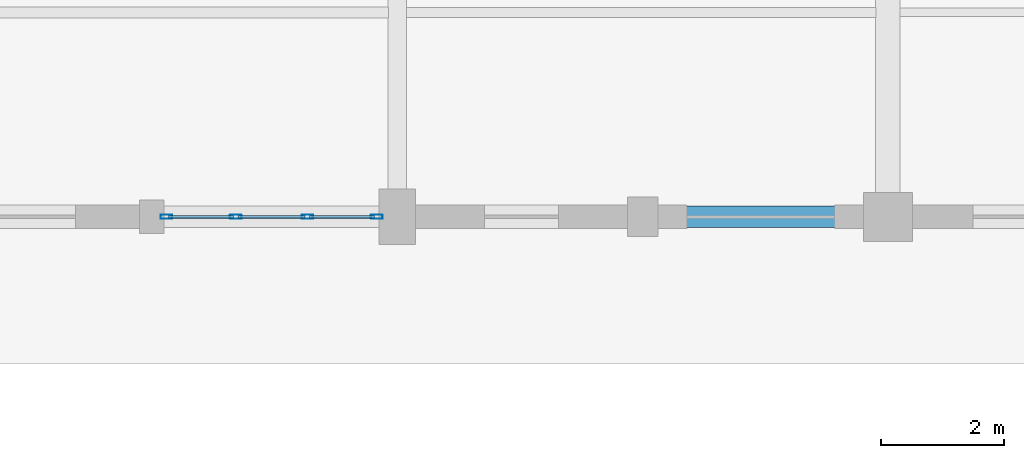
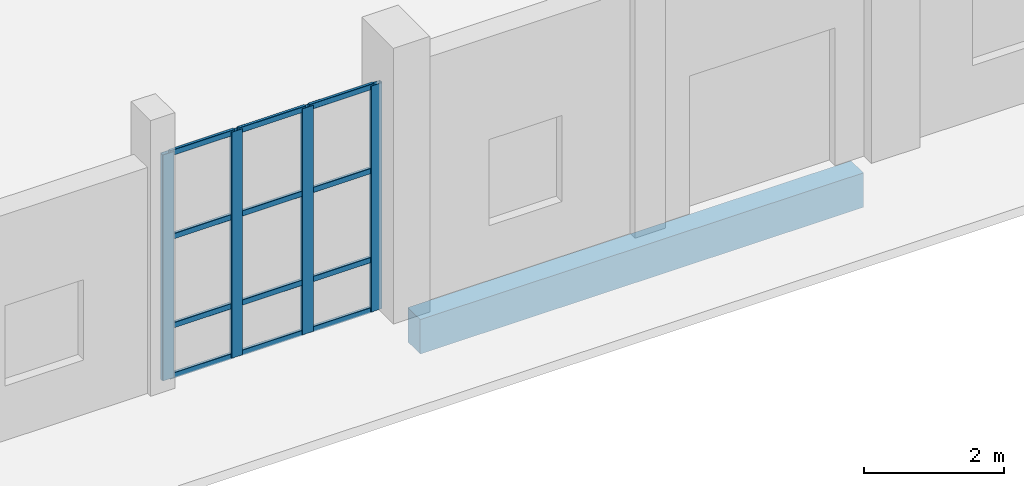
# One storey, part 53 of 156: 16 members, 1 beam, 1 element without a shape of its own.
"""IFC4 building model written with IfcOpenShell, lengths in metres."""

from ifc_helpers import new_model, si_unit, direction, frame, origin, origin_2d, place, context, subcontext, project, spatial, rectangle, hollow_rectangle, extrude, material, material_profile, profile_set, type_object, element, aggregate, save


model = new_model("IFC4")

# Units and contexts
model_context = context("Model", 3, precision=1e-05, world=origin(), true_north=direction((0.0, 1.0)))
body_context = subcontext(model_context, "Body", "Model", "MODEL_VIEW")
ifc_project = project(units=[si_unit("LENGTHUNIT", "METRE"), si_unit("AREAUNIT", "SQUARE_METRE"), si_unit("VOLUMEUNIT", "CUBIC_METRE"), si_unit("PLANEANGLEUNIT", "RADIAN"), si_unit("MASSUNIT", "GRAM", prefix="KILO")], contexts=[model_context])

# Site, building, storey
site_placement = place(None, origin())
site = spatial("IfcSite", under=ifc_project, at=site_placement, CompositionType="ELEMENT")
building_placement = place(site_placement, origin())
building = spatial("IfcBuilding", under=site, at=building_placement, Name="Luwemba Playhouse", CompositionType="ELEMENT")
storey_placement = place(building_placement, origin())
storey = spatial("IfcBuildingStorey", under=building, at=storey_placement, Name="L00", CompositionType="ELEMENT", Elevation=0.0)

# Beam
ifc_material_1 = material(Name="Concrete C40/50", Category="concrete")
ifc_material_profile_1 = material_profile(ifc_material_1, rectangle(XDim=0.35009765625, YDim=0.60009765625, at=origin_2d()))
ifc_profile_set_1 = profile_set([ifc_material_profile_1], Name="Concrete C40/50")
beam_type = type_object("IfcBeamType", Name="BM-SP3", PredefinedType="SPANDREL", material=ifc_profile_set_1)
beam_placement = place(storey_placement, frame((116.300048828125, 95.0, -0.60009765625), z_axis=(1.0, 0.0, 0.0), x_axis=(0.0, 1.0, 0.0)))
element("IfcBeam", 1, at=beam_placement, inside=storey, type_object=beam_type, Name="L00 grid girder 0298", PredefinedType="SPANDREL", context=body_context, shape_type="SweptSolid", body=[
    extrude(rectangle(XDim=0.35009765625, YDim=0.60009765625, at=origin_2d()), origin(), (0.0, 0.0, 1.0), 7.300048828125),
])

# Curtain wall, members
ifc_material_2 = material(Name="Solar-control double glazing", Category="glass")
curtain_wall_type = type_object("IfcCurtainWallType", Name="CW-CW56", PredefinedType="USERDEFINED", material=ifc_material_2)
curtain_wall_placement = place(storey_placement, origin())
curtain_wall = element("IfcCurtainWall", 2, at=curtain_wall_placement, inside=storey, type_object=curtain_wall_type, Name="L00 V6E unitised curtain wall 094", ObjectType="UNITISED GLAZING", PredefinedType="USERDEFINED")
ifc_material_3 = material(Name="Aluminium 6063-T6", Category="aluminium")
ifc_material_profile_2 = material_profile(ifc_material_3, hollow_rectangle(XDim=0.070068359375, YDim=0.18994140625, WallThickness=0.0048828125, InnerFilletRadius=0.007568359375, OuterFilletRadius=0.012451171875, at=origin_2d()))
ifc_profile_set_2 = profile_set([ifc_material_profile_2], Name="Aluminium 6063-T6")
member_type_1 = type_object("IfcMemberType", Name="CWM-M4", PredefinedType="MULLION", material=ifc_profile_set_2)
member_1_placement = place(storey_placement, frame((115.6650390625, 95.0, 0.0), z_axis=(0.0, 0.0, 1.0), x_axis=(0.0, -1.0, 0.0)))
member_1 = element("IfcMember", 3, at=member_1_placement, type_object=member_type_1, Name="CW56 mullion 1", PredefinedType="MULLION", context=body_context, shape_type="SweptSolid", body=[
    extrude(hollow_rectangle(XDim=0.070068359375, YDim=0.18994140625, WallThickness=0.0048828125, InnerFilletRadius=0.007568359375, OuterFilletRadius=0.012451171875, at=origin_2d()), origin(), (0.0, 0.0, 1.0), 3.93505859375),
])
member_2_placement = place(storey_placement, frame((114.533447265625, 95.0, 0.0), z_axis=(0.0, 0.0, 1.0), x_axis=(0.0, -1.0, 0.0)))
member_2 = element("IfcMember", 4, at=member_2_placement, type_object=member_type_1, Name="CW56 mullion 2", PredefinedType="MULLION", context=body_context, shape_type="SweptSolid", body=[
    extrude(hollow_rectangle(XDim=0.070068359375, YDim=0.18994140625, WallThickness=0.0048828125, InnerFilletRadius=0.007568359375, OuterFilletRadius=0.012451171875, at=origin_2d()), origin(), (0.0, 0.0, 1.0), 3.93505859375),
])
member_3_placement = place(storey_placement, frame((113.36669921875, 95.0, 0.0), z_axis=(0.0, 0.0, 1.0), x_axis=(0.0, -1.0, 0.0)))
member_3 = element("IfcMember", 5, at=member_3_placement, type_object=member_type_1, Name="CW56 mullion 3", PredefinedType="MULLION", context=body_context, shape_type="SweptSolid", body=[
    extrude(hollow_rectangle(XDim=0.070068359375, YDim=0.18994140625, WallThickness=0.0048828125, InnerFilletRadius=0.007568359375, OuterFilletRadius=0.012451171875, at=origin_2d()), origin(), (0.0, 0.0, 1.0), 3.93505859375),
])
member_4_placement = place(storey_placement, frame((112.235107421875, 95.0, 0.0), z_axis=(0.0, 0.0, 1.0), x_axis=(0.0, -1.0, 0.0)))
member_4 = element("IfcMember", 6, at=member_4_placement, type_object=member_type_1, Name="CW56 mullion 4", PredefinedType="MULLION", context=body_context, shape_type="SweptSolid", body=[
    extrude(hollow_rectangle(XDim=0.070068359375, YDim=0.18994140625, WallThickness=0.0048828125, InnerFilletRadius=0.007568359375, OuterFilletRadius=0.012451171875, at=origin_2d()), origin(), (0.0, 0.0, 1.0), 3.93505859375),
])
ifc_material_profile_3 = material_profile(ifc_material_3, hollow_rectangle(XDim=0.050048828125, YDim=0.10009765625, WallThickness=0.00341796875, InnerFilletRadius=0.00537109375, OuterFilletRadius=0.0087890625, at=origin_2d()))
ifc_profile_set_3 = profile_set([ifc_material_profile_3], Name="Aluminium 6063-T6")
member_type_2 = type_object("IfcMemberType", Name="CWT-T4", PredefinedType="USERDEFINED", material=ifc_profile_set_3)
member_5_placement = place(storey_placement, frame((115.6298828125, 95.0, 0.02490234375), z_axis=(-1.0, 0.0, 0.0), x_axis=(0.0, -1.0, 0.0)))
member_5 = element("IfcMember", 7, at=member_5_placement, type_object=member_type_2, Name="CW56 transom 1.1", ObjectType="TRANSOM", PredefinedType="USERDEFINED", context=body_context, shape_type="SweptSolid", body=[
    extrude(hollow_rectangle(XDim=0.050048828125, YDim=0.10009765625, WallThickness=0.00341796875, InnerFilletRadius=0.00537109375, OuterFilletRadius=0.0087890625, at=origin_2d()), origin(), (0.0, 0.0, 1.0), 1.0615234375),
])
member_6_placement = place(storey_placement, frame((115.6298828125, 95.0, 0.89990234375), z_axis=(-1.0, 0.0, 0.0), x_axis=(0.0, -1.0, 0.0)))
member_6 = element("IfcMember", 8, at=member_6_placement, type_object=member_type_2, Name="CW56 transom 1.2", ObjectType="TRANSOM", PredefinedType="USERDEFINED", context=body_context, shape_type="SweptSolid", body=[
    extrude(hollow_rectangle(XDim=0.050048828125, YDim=0.10009765625, WallThickness=0.00341796875, InnerFilletRadius=0.00537109375, OuterFilletRadius=0.0087890625, at=origin_2d()), origin(), (0.0, 0.0, 1.0), 1.0615234375),
])
member_7_placement = place(storey_placement, frame((115.6298828125, 95.0, 2.449951171875), z_axis=(-1.0, 0.0, 0.0), x_axis=(0.0, -1.0, 0.0)))
member_7 = element("IfcMember", 9, at=member_7_placement, type_object=member_type_2, Name="CW56 transom 1.3", ObjectType="TRANSOM", PredefinedType="USERDEFINED", context=body_context, shape_type="SweptSolid", body=[
    extrude(hollow_rectangle(XDim=0.050048828125, YDim=0.10009765625, WallThickness=0.00341796875, InnerFilletRadius=0.00537109375, OuterFilletRadius=0.0087890625, at=origin_2d()), origin(), (0.0, 0.0, 1.0), 1.0615234375),
])
member_8_placement = place(storey_placement, frame((115.6298828125, 95.0, 3.909912109375), z_axis=(-1.0, 0.0, 0.0), x_axis=(0.0, -1.0, 0.0)))
member_8 = element("IfcMember", 10, at=member_8_placement, type_object=member_type_2, Name="CW56 transom 1.4", ObjectType="TRANSOM", PredefinedType="USERDEFINED", context=body_context, shape_type="SweptSolid", body=[
    extrude(hollow_rectangle(XDim=0.050048828125, YDim=0.10009765625, WallThickness=0.00341796875, InnerFilletRadius=0.00537109375, OuterFilletRadius=0.0087890625, at=origin_2d()), origin(), (0.0, 0.0, 1.0), 1.0615234375),
])
member_9_placement = place(storey_placement, frame((114.498291015625, 95.0, 0.02490234375), z_axis=(-1.0, 0.0, 0.0), x_axis=(0.0, -1.0, 0.0)))
member_9 = element("IfcMember", 11, at=member_9_placement, type_object=member_type_2, Name="CW56 transom 2.1", ObjectType="TRANSOM", PredefinedType="USERDEFINED", context=body_context, shape_type="SweptSolid", body=[
    extrude(hollow_rectangle(XDim=0.050048828125, YDim=0.10009765625, WallThickness=0.00341796875, InnerFilletRadius=0.00537109375, OuterFilletRadius=0.0087890625, at=origin_2d()), origin(), (0.0, 0.0, 1.0), 1.0966796875),
])
member_10_placement = place(storey_placement, frame((114.498291015625, 95.0, 0.89990234375), z_axis=(-1.0, 0.0, 0.0), x_axis=(0.0, -1.0, 0.0)))
member_10 = element("IfcMember", 12, at=member_10_placement, type_object=member_type_2, Name="CW56 transom 2.2", ObjectType="TRANSOM", PredefinedType="USERDEFINED", context=body_context, shape_type="SweptSolid", body=[
    extrude(hollow_rectangle(XDim=0.050048828125, YDim=0.10009765625, WallThickness=0.00341796875, InnerFilletRadius=0.00537109375, OuterFilletRadius=0.0087890625, at=origin_2d()), origin(), (0.0, 0.0, 1.0), 1.0966796875),
])
member_11_placement = place(storey_placement, frame((114.498291015625, 95.0, 2.449951171875), z_axis=(-1.0, 0.0, 0.0), x_axis=(0.0, -1.0, 0.0)))
member_11 = element("IfcMember", 13, at=member_11_placement, type_object=member_type_2, Name="CW56 transom 2.3", ObjectType="TRANSOM", PredefinedType="USERDEFINED", context=body_context, shape_type="SweptSolid", body=[
    extrude(hollow_rectangle(XDim=0.050048828125, YDim=0.10009765625, WallThickness=0.00341796875, InnerFilletRadius=0.00537109375, OuterFilletRadius=0.0087890625, at=origin_2d()), origin(), (0.0, 0.0, 1.0), 1.0966796875),
])
member_12_placement = place(storey_placement, frame((114.498291015625, 95.0, 3.909912109375), z_axis=(-1.0, 0.0, 0.0), x_axis=(0.0, -1.0, 0.0)))
member_12 = element("IfcMember", 14, at=member_12_placement, type_object=member_type_2, Name="CW56 transom 2.4", ObjectType="TRANSOM", PredefinedType="USERDEFINED", context=body_context, shape_type="SweptSolid", body=[
    extrude(hollow_rectangle(XDim=0.050048828125, YDim=0.10009765625, WallThickness=0.00341796875, InnerFilletRadius=0.00537109375, OuterFilletRadius=0.0087890625, at=origin_2d()), origin(), (0.0, 0.0, 1.0), 1.0966796875),
])
member_13_placement = place(storey_placement, frame((113.331787109375, 95.0, 0.02490234375), z_axis=(-1.0, 0.0, 0.0), x_axis=(0.0, -1.0, 0.0)))
member_13 = element("IfcMember", 15, at=member_13_placement, type_object=member_type_2, Name="CW56 transom 3.1", ObjectType="TRANSOM", PredefinedType="USERDEFINED", context=body_context, shape_type="SweptSolid", body=[
    extrude(hollow_rectangle(XDim=0.050048828125, YDim=0.10009765625, WallThickness=0.00341796875, InnerFilletRadius=0.00537109375, OuterFilletRadius=0.0087890625, at=origin_2d()), origin(), (0.0, 0.0, 1.0), 1.061767578125),
])
member_14_placement = place(storey_placement, frame((113.331787109375, 95.0, 0.89990234375), z_axis=(-1.0, 0.0, 0.0), x_axis=(0.0, -1.0, 0.0)))
member_14 = element("IfcMember", 16, at=member_14_placement, type_object=member_type_2, Name="CW56 transom 3.2", ObjectType="TRANSOM", PredefinedType="USERDEFINED", context=body_context, shape_type="SweptSolid", body=[
    extrude(hollow_rectangle(XDim=0.050048828125, YDim=0.10009765625, WallThickness=0.00341796875, InnerFilletRadius=0.00537109375, OuterFilletRadius=0.0087890625, at=origin_2d()), origin(), (0.0, 0.0, 1.0), 1.061767578125),
])
member_15_placement = place(storey_placement, frame((113.331787109375, 95.0, 2.449951171875), z_axis=(-1.0, 0.0, 0.0), x_axis=(0.0, -1.0, 0.0)))
member_15 = element("IfcMember", 17, at=member_15_placement, type_object=member_type_2, Name="CW56 transom 3.3", ObjectType="TRANSOM", PredefinedType="USERDEFINED", context=body_context, shape_type="SweptSolid", body=[
    extrude(hollow_rectangle(XDim=0.050048828125, YDim=0.10009765625, WallThickness=0.00341796875, InnerFilletRadius=0.00537109375, OuterFilletRadius=0.0087890625, at=origin_2d()), origin(), (0.0, 0.0, 1.0), 1.061767578125),
])
member_16_placement = place(storey_placement, frame((113.331787109375, 95.0, 3.909912109375), z_axis=(-1.0, 0.0, 0.0), x_axis=(0.0, -1.0, 0.0)))
member_16 = element("IfcMember", 18, at=member_16_placement, type_object=member_type_2, Name="CW56 transom 3.4", ObjectType="TRANSOM", PredefinedType="USERDEFINED", context=body_context, shape_type="SweptSolid", body=[
    extrude(hollow_rectangle(XDim=0.050048828125, YDim=0.10009765625, WallThickness=0.00341796875, InnerFilletRadius=0.00537109375, OuterFilletRadius=0.0087890625, at=origin_2d()), origin(), (0.0, 0.0, 1.0), 1.061767578125),
])
aggregate(curtain_wall, [member_1, member_2, member_3, member_4, member_5, member_6, member_7, member_8, member_9, member_10, member_11, member_12, member_13, member_14, member_15, member_16])

save(model, "model.ifc")
